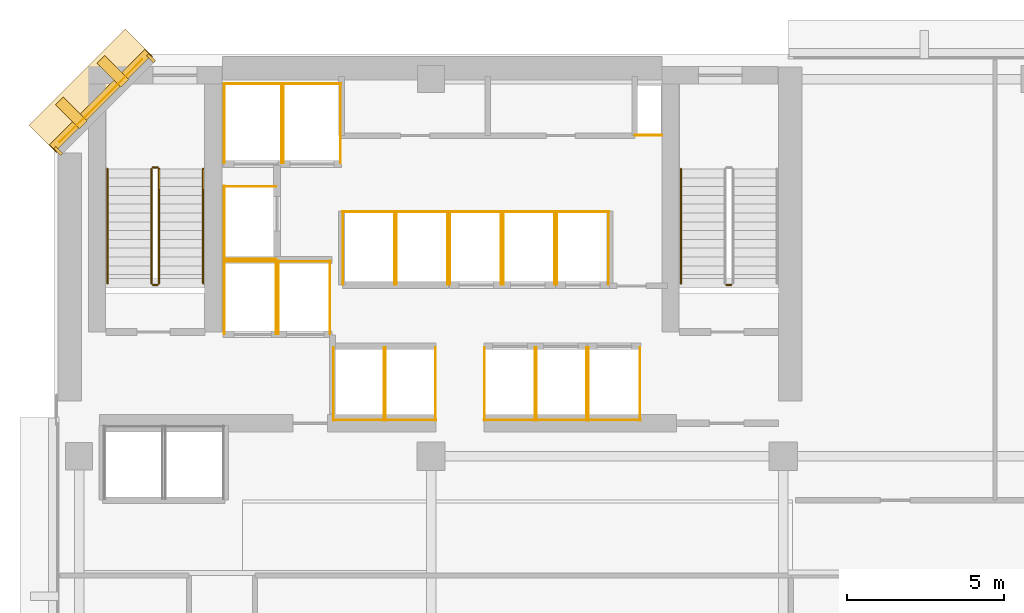
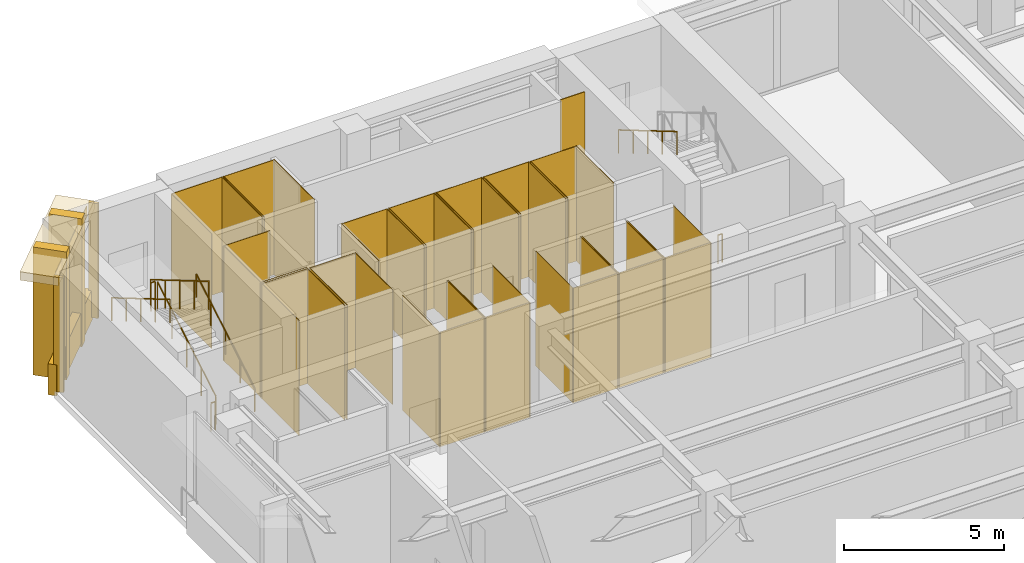
# One storey, part 11 of 13: 53 coverings, 8 railings.
"""IFC4 building model written with IfcOpenShell, lengths in metres."""

from ifc_helpers import new_model, si_unit, direction, frame, origin, origin_2d, place, context, subcontext, project, spatial, polyline, rectangle, circle, outline, extrude, material, layer, layer_set, type_object, element, save


model = new_model("IFC4")

# Units and contexts
model_context = context("Model", 3, precision=1e-05, world=origin(), true_north=direction((0.0, 1.0)))
body_context = subcontext(model_context, "Body", "Model", "MODEL_VIEW")
ifc_project = project(units=[si_unit("LENGTHUNIT", "METRE"), si_unit("AREAUNIT", "SQUARE_METRE"), si_unit("VOLUMEUNIT", "CUBIC_METRE"), si_unit("PLANEANGLEUNIT", "RADIAN"), si_unit("MASSUNIT", "GRAM", prefix="KILO")], contexts=[model_context])

# Site, building, storey
site_placement = place(None, origin())
site = spatial("IfcSite", under=ifc_project, at=site_placement, CompositionType="ELEMENT")
building_placement = place(site_placement, origin())
building = spatial("IfcBuilding", under=site, at=building_placement, Name="Kefirva Bronze Tower", CompositionType="ELEMENT")
storey_placement = place(building_placement, frame((0.0, 0.0, 130.35009765625)))
storey = spatial("IfcBuildingStorey", under=building, at=storey_placement, Name="L31", CompositionType="ELEMENT", Elevation=130.35009765625)

# Coverings
ifc_material_1 = material(Name="Bronze anodised aluminium", Category="aluminium")
ifc_layer_1 = layer(ifc_material_1, 0.02001953125, Name="Bronze anodised aluminium")
ifc_layer_set_1 = layer_set([ifc_layer_1], Name="Bronze anodised aluminium")
covering_type_1 = type_object("IfcCoveringType", Name="Anodised Bronze Spandrel Cladding 20mm", PredefinedType="CLADDING", material=ifc_layer_set_1)
covering_1_placement = place(storey_placement, frame((1.492919921875, 44.507080078125, 3.949951171875), z_axis=(0.0, 0.0, 1.0), x_axis=(-0.707106781187, -0.707106781187, 0.0)))
element("IfcCovering", 1, at=covering_1_placement, inside=storey, type_object=covering_type_1, Name="L31 Bronze Spandrel Cladding 8", PredefinedType="CLADDING", context=body_context, shape_type="SweptSolid", body=[
    extrude(rectangle(XDim=3.719482421875, YDim=0.02001953125, at=origin_2d()), origin(), (0.0, 0.0, 1.0), 0.39990234375),
])
for number, where, z_axis, x_axis, name in (
    (2, (3.08837890625, 45.862060546875, -0.000244140625), (0.0, 0.0, 1.0), (-0.707106781187, -0.707106781187, 0.0), "L31 Facade Joint Closure Panel 8S"),
    (3, (0.137939453125, 42.91162109375, -0.000244140625), (0.0, 0.0, 1.0), (-0.707106781187, -0.707106781187, 0.0), "L31 Facade Joint Closure Panel 8E"),
):
    element("IfcCovering", number, at=place(storey_placement, frame(where, z_axis=z_axis, x_axis=x_axis)), inside=storey, type_object=covering_type_1, Name=name, PredefinedType="CLADDING", context=body_context, shape_type="SweptSolid", body=[
        extrude(rectangle(XDim=0.10009765625, YDim=0.320068359375, at=origin_2d()), origin(), (0.0, 0.0, 1.0), 4.3701171875),
    ])
covering_2_placement = place(storey_placement, frame((1.4716796875, 44.5283203125, -0.16015625), z_axis=(0.0, 0.0, 1.0), x_axis=(-0.707106781187, -0.707106781187, 0.0)))
element("IfcCovering", 4, at=covering_2_placement, inside=storey, type_object=covering_type_1, Name="L31 Streamline Horizontal Spandrel Band 13", PredefinedType="CLADDING", context=body_context, shape_type="SweptSolid", body=[
    extrude(rectangle(XDim=4.28271484375, YDim=0.280029296875, at=origin_2d()), origin(), (0.0, 0.0, 1.0), 1.179931640625),
])
covering_3_placement = place(storey_placement, origin())
element("IfcCovering", 5, at=covering_3_placement, inside=storey, type_object=covering_type_1, Name="L31 Lift FF1 Hoistway Liner N", PredefinedType="CLADDING", context=body_context, shape_type="SweptSolid", body=[
    extrude(outline(polyline([(5.39990234375, 39.389892578125), (7.080078125, 39.389892578125), (7.080078125, 39.409912109375), (5.39990234375, 39.409912109375), (5.39990234375, 39.389892578125)])), origin(), (0.0, 0.0, 1.0), 4.369873046875),
])
covering_4_placement = place(storey_placement, origin())
element("IfcCovering", 6, at=covering_4_placement, inside=storey, type_object=covering_type_1, Name="L31 Lift FF1 Hoistway Liner W", PredefinedType="CLADDING", context=body_context, shape_type="SweptSolid", body=[
    extrude(outline(polyline([(5.409912109375, 37.080078125), (5.429931640625, 37.080078125), (5.429931640625, 39.419921875), (5.409912109375, 39.419921875), (5.409912109375, 37.080078125)])), origin(), (0.0, 0.0, 1.0), 4.369873046875),
])
covering_5_placement = place(storey_placement, origin())
element("IfcCovering", 7, at=covering_5_placement, inside=storey, type_object=covering_type_1, Name="L31 Lift FF1 Hoistway Liner E", PredefinedType="CLADDING", context=body_context, shape_type="SweptSolid", body=[
    extrude(outline(polyline([(7.050048828125, 37.080078125), (7.070068359375, 37.080078125), (7.070068359375, 39.419921875), (7.050048828125, 39.419921875), (7.050048828125, 37.080078125)])), origin(), (0.0, 0.0, 1.0), 4.369873046875),
])
covering_6_placement = place(storey_placement, origin())
element("IfcCovering", 8, at=covering_6_placement, inside=storey, type_object=covering_type_1, Name="L31 Lift FF2 Hoistway Liner N", PredefinedType="CLADDING", context=body_context, shape_type="SweptSolid", body=[
    extrude(outline(polyline([(7.1201171875, 39.389892578125), (8.800048828125, 39.389892578125), (8.800048828125, 39.409912109375), (7.1201171875, 39.409912109375), (7.1201171875, 39.389892578125)])), origin(), (0.0, 0.0, 1.0), 4.369873046875),
])
covering_7_placement = place(storey_placement, origin())
element("IfcCovering", 9, at=covering_7_placement, inside=storey, type_object=covering_type_1, Name="L31 Lift FF2 Hoistway Liner W", PredefinedType="CLADDING", context=body_context, shape_type="SweptSolid", body=[
    extrude(outline(polyline([(7.1298828125, 37.080078125), (7.14990234375, 37.080078125), (7.14990234375, 39.419921875), (7.1298828125, 39.419921875), (7.1298828125, 37.080078125)])), origin(), (0.0, 0.0, 1.0), 4.369873046875),
])
covering_8_placement = place(storey_placement, origin())
element("IfcCovering", 10, at=covering_8_placement, inside=storey, type_object=covering_type_1, Name="L31 Lift FF2 Hoistway Liner E", PredefinedType="CLADDING", context=body_context, shape_type="SweptSolid", body=[
    extrude(outline(polyline([(8.77001953125, 37.080078125), (8.7900390625, 37.080078125), (8.7900390625, 39.419921875), (8.77001953125, 39.419921875), (8.77001953125, 37.080078125)])), origin(), (0.0, 0.0, 1.0), 4.369873046875),
])
covering_9_placement = place(storey_placement, origin())
element("IfcCovering", 11, at=covering_9_placement, inside=storey, type_object=covering_type_1, Name="L31 Lift SV1 Hoistway Liner N", PredefinedType="CLADDING", context=body_context, shape_type="SweptSolid", body=[
    extrude(outline(polyline([(5.39990234375, 45.0400390625), (7.260009765625, 45.0400390625), (7.260009765625, 45.06005859375), (5.39990234375, 45.06005859375), (5.39990234375, 45.0400390625)])), origin(), (0.0, 0.0, 1.0), 4.369873046875),
])
covering_10_placement = place(storey_placement, origin())
element("IfcCovering", 12, at=covering_10_placement, inside=storey, type_object=covering_type_1, Name="L31 Lift SV1 Hoistway Liner W", PredefinedType="CLADDING", context=body_context, shape_type="SweptSolid", body=[
    extrude(outline(polyline([(5.409912109375, 42.530029296875), (5.429931640625, 42.530029296875), (5.429931640625, 45.070068359375), (5.409912109375, 45.070068359375), (5.409912109375, 42.530029296875)])), origin(), (0.0, 0.0, 1.0), 4.369873046875),
])
covering_11_placement = place(storey_placement, origin())
element("IfcCovering", 13, at=covering_11_placement, inside=storey, type_object=covering_type_1, Name="L31 Lift SV1 Hoistway Liner E", PredefinedType="CLADDING", context=body_context, shape_type="SweptSolid", body=[
    extrude(outline(polyline([(7.22998046875, 42.530029296875), (7.25, 42.530029296875), (7.25, 45.070068359375), (7.22998046875, 45.070068359375), (7.22998046875, 42.530029296875)])), origin(), (0.0, 0.0, 1.0), 4.369873046875),
])
covering_12_placement = place(storey_placement, origin())
element("IfcCovering", 14, at=covering_12_placement, inside=storey, type_object=covering_type_1, Name="L31 Lift SV2 Hoistway Liner N", PredefinedType="CLADDING", context=body_context, shape_type="SweptSolid", body=[
    extrude(outline(polyline([(7.280029296875, 45.0400390625), (9.139892578125, 45.0400390625), (9.139892578125, 45.06005859375), (7.280029296875, 45.06005859375), (7.280029296875, 45.0400390625)])), origin(), (0.0, 0.0, 1.0), 4.369873046875),
])
covering_13_placement = place(storey_placement, origin())
element("IfcCovering", 15, at=covering_13_placement, inside=storey, type_object=covering_type_1, Name="L31 Lift SV2 Hoistway Liner W", PredefinedType="CLADDING", context=body_context, shape_type="SweptSolid", body=[
    extrude(outline(polyline([(7.2900390625, 42.530029296875), (7.31005859375, 42.530029296875), (7.31005859375, 45.070068359375), (7.2900390625, 45.070068359375), (7.2900390625, 42.530029296875)])), origin(), (0.0, 0.0, 1.0), 4.369873046875),
])
covering_14_placement = place(storey_placement, origin())
element("IfcCovering", 16, at=covering_14_placement, inside=storey, type_object=covering_type_1, Name="L31 Lift SV2 Hoistway Liner E", PredefinedType="CLADDING", context=body_context, shape_type="SweptSolid", body=[
    extrude(outline(polyline([(9.110107421875, 42.530029296875), (9.1298828125, 42.530029296875), (9.1298828125, 45.070068359375), (9.110107421875, 45.070068359375), (9.110107421875, 42.530029296875)])), origin(), (0.0, 0.0, 1.0), 4.369873046875),
])
covering_15_placement = place(storey_placement, origin())
element("IfcCovering", 17, at=covering_15_placement, inside=storey, type_object=covering_type_1, Name="L31 Lift LP1 Hoistway Liner S", PredefinedType="CLADDING", context=body_context, shape_type="SweptSolid", body=[
    extrude(outline(polyline([(8.8798828125, 34.340087890625), (10.52001953125, 34.340087890625), (10.52001953125, 34.360107421875), (8.8798828125, 34.360107421875), (8.8798828125, 34.340087890625)])), origin(), (0.0, 0.0, 1.0), 4.369873046875),
])
covering_16_placement = place(storey_placement, origin())
element("IfcCovering", 18, at=covering_16_placement, inside=storey, type_object=covering_type_1, Name="L31 Lift LP1 Hoistway Liner W", PredefinedType="CLADDING", context=body_context, shape_type="SweptSolid", body=[
    extrude(outline(polyline([(8.889892578125, 34.330078125), (8.909912109375, 34.330078125), (8.909912109375, 36.669921875), (8.889892578125, 36.669921875), (8.889892578125, 34.330078125)])), origin(), (0.0, 0.0, 1.0), 4.369873046875),
])
covering_17_placement = place(storey_placement, origin())
element("IfcCovering", 19, at=covering_17_placement, inside=storey, type_object=covering_type_1, Name="L31 Lift LP1 Hoistway Liner E", PredefinedType="CLADDING", context=body_context, shape_type="SweptSolid", body=[
    extrude(outline(polyline([(10.489990234375, 34.330078125), (10.510009765625, 34.330078125), (10.510009765625, 36.669921875), (10.489990234375, 36.669921875), (10.489990234375, 34.330078125)])), origin(), (0.0, 0.0, 1.0), 4.369873046875),
])
covering_18_placement = place(storey_placement, origin())
element("IfcCovering", 20, at=covering_18_placement, inside=storey, type_object=covering_type_1, Name="L31 Lift LP2 Hoistway Liner S", PredefinedType="CLADDING", context=body_context, shape_type="SweptSolid", body=[
    extrude(outline(polyline([(10.52001953125, 34.340087890625), (12.159912109375, 34.340087890625), (12.159912109375, 34.360107421875), (10.52001953125, 34.360107421875), (10.52001953125, 34.340087890625)])), origin(), (0.0, 0.0, 1.0), 4.369873046875),
])
covering_19_placement = place(storey_placement, origin())
element("IfcCovering", 21, at=covering_19_placement, inside=storey, type_object=covering_type_1, Name="L31 Lift LP2 Hoistway Liner W", PredefinedType="CLADDING", context=body_context, shape_type="SweptSolid", body=[
    extrude(outline(polyline([(10.530029296875, 34.330078125), (10.550048828125, 34.330078125), (10.550048828125, 36.669921875), (10.530029296875, 36.669921875), (10.530029296875, 34.330078125)])), origin(), (0.0, 0.0, 1.0), 4.369873046875),
])
covering_20_placement = place(storey_placement, origin())
element("IfcCovering", 22, at=covering_20_placement, inside=storey, type_object=covering_type_1, Name="L31 Lift LP2 Hoistway Liner E", PredefinedType="CLADDING", context=body_context, shape_type="SweptSolid", body=[
    extrude(outline(polyline([(12.1298828125, 34.330078125), (12.14990234375, 34.330078125), (12.14990234375, 36.669921875), (12.1298828125, 36.669921875), (12.1298828125, 34.330078125)])), origin(), (0.0, 0.0, 1.0), 4.369873046875),
])
covering_21_placement = place(storey_placement, origin())
element("IfcCovering", 23, at=covering_21_placement, inside=storey, type_object=covering_type_1, Name="L31 Lift LP3 Hoistway Liner N", PredefinedType="CLADDING", context=body_context, shape_type="SweptSolid", body=[
    extrude(outline(polyline([(9.179931640625, 40.969970703125), (10.85009765625, 40.969970703125), (10.85009765625, 40.989990234375), (9.179931640625, 40.989990234375), (9.179931640625, 40.969970703125)])), origin(), (0.0, 0.0, 1.0), 4.369873046875),
])
covering_22_placement = place(storey_placement, origin())
element("IfcCovering", 24, at=covering_22_placement, inside=storey, type_object=covering_type_1, Name="L31 Lift LP3 Hoistway Liner W", PredefinedType="CLADDING", context=body_context, shape_type="SweptSolid", body=[
    extrude(outline(polyline([(9.18994140625, 38.659912109375), (9.2099609375, 38.659912109375), (9.2099609375, 41.0), (9.18994140625, 41.0), (9.18994140625, 38.659912109375)])), origin(), (0.0, 0.0, 1.0), 4.369873046875),
])
covering_23_placement = place(storey_placement, origin())
element("IfcCovering", 25, at=covering_23_placement, inside=storey, type_object=covering_type_1, Name="L31 Lift LP3 Hoistway Liner E", PredefinedType="CLADDING", context=body_context, shape_type="SweptSolid", body=[
    extrude(outline(polyline([(10.820068359375, 38.659912109375), (10.840087890625, 38.659912109375), (10.840087890625, 41.0), (10.820068359375, 41.0), (10.820068359375, 38.659912109375)])), origin(), (0.0, 0.0, 1.0), 4.369873046875),
])
covering_24_placement = place(storey_placement, origin())
element("IfcCovering", 26, at=covering_24_placement, inside=storey, type_object=covering_type_1, Name="L31 Lift LP4 Hoistway Liner N", PredefinedType="CLADDING", context=body_context, shape_type="SweptSolid", body=[
    extrude(outline(polyline([(10.8798828125, 40.969970703125), (12.550048828125, 40.969970703125), (12.550048828125, 40.989990234375), (10.8798828125, 40.989990234375), (10.8798828125, 40.969970703125)])), origin(), (0.0, 0.0, 1.0), 4.369873046875),
])
covering_25_placement = place(storey_placement, origin())
element("IfcCovering", 27, at=covering_25_placement, inside=storey, type_object=covering_type_1, Name="L31 Lift LP4 Hoistway Liner W", PredefinedType="CLADDING", context=body_context, shape_type="SweptSolid", body=[
    extrude(outline(polyline([(10.889892578125, 38.659912109375), (10.909912109375, 38.659912109375), (10.909912109375, 41.0), (10.889892578125, 41.0), (10.889892578125, 38.659912109375)])), origin(), (0.0, 0.0, 1.0), 4.369873046875),
])
covering_26_placement = place(storey_placement, origin())
element("IfcCovering", 28, at=covering_26_placement, inside=storey, type_object=covering_type_1, Name="L31 Lift LP4 Hoistway Liner E", PredefinedType="CLADDING", context=body_context, shape_type="SweptSolid", body=[
    extrude(outline(polyline([(12.52001953125, 38.659912109375), (12.5400390625, 38.659912109375), (12.5400390625, 41.0), (12.52001953125, 41.0), (12.52001953125, 38.659912109375)])), origin(), (0.0, 0.0, 1.0), 4.369873046875),
])
covering_27_placement = place(storey_placement, origin())
element("IfcCovering", 29, at=covering_27_placement, inside=storey, type_object=covering_type_1, Name="L31 Lift MP1 Hoistway Liner S", PredefinedType="CLADDING", context=body_context, shape_type="SweptSolid", body=[
    extrude(outline(polyline([(13.679931640625, 34.340087890625), (15.320068359375, 34.340087890625), (15.320068359375, 34.360107421875), (13.679931640625, 34.360107421875), (13.679931640625, 34.340087890625)])), origin(), (0.0, 0.0, 1.0), 4.369873046875),
])
covering_28_placement = place(storey_placement, origin())
element("IfcCovering", 30, at=covering_28_placement, inside=storey, type_object=covering_type_1, Name="L31 Lift MP1 Hoistway Liner W", PredefinedType="CLADDING", context=body_context, shape_type="SweptSolid", body=[
    extrude(outline(polyline([(13.68994140625, 34.330078125), (13.7099609375, 34.330078125), (13.7099609375, 36.669921875), (13.68994140625, 36.669921875), (13.68994140625, 34.330078125)])), origin(), (0.0, 0.0, 1.0), 4.369873046875),
])
covering_29_placement = place(storey_placement, origin())
element("IfcCovering", 31, at=covering_29_placement, inside=storey, type_object=covering_type_1, Name="L31 Lift MP1 Hoistway Liner E", PredefinedType="CLADDING", context=body_context, shape_type="SweptSolid", body=[
    extrude(outline(polyline([(15.2900390625, 34.330078125), (15.31005859375, 34.330078125), (15.31005859375, 36.669921875), (15.2900390625, 36.669921875), (15.2900390625, 34.330078125)])), origin(), (0.0, 0.0, 1.0), 4.369873046875),
])
covering_30_placement = place(storey_placement, origin())
element("IfcCovering", 32, at=covering_30_placement, inside=storey, type_object=covering_type_1, Name="L31 Lift MP2 Hoistway Liner S", PredefinedType="CLADDING", context=body_context, shape_type="SweptSolid", body=[
    extrude(outline(polyline([(15.330078125, 34.340087890625), (16.969970703125, 34.340087890625), (16.969970703125, 34.360107421875), (15.330078125, 34.360107421875), (15.330078125, 34.340087890625)])), origin(), (0.0, 0.0, 1.0), 4.369873046875),
])
covering_31_placement = place(storey_placement, origin())
element("IfcCovering", 33, at=covering_31_placement, inside=storey, type_object=covering_type_1, Name="L31 Lift MP2 Hoistway Liner W", PredefinedType="CLADDING", context=body_context, shape_type="SweptSolid", body=[
    extrude(outline(polyline([(15.340087890625, 34.330078125), (15.360107421875, 34.330078125), (15.360107421875, 36.669921875), (15.340087890625, 36.669921875), (15.340087890625, 34.330078125)])), origin(), (0.0, 0.0, 1.0), 4.369873046875),
])
covering_32_placement = place(storey_placement, origin())
element("IfcCovering", 34, at=covering_32_placement, inside=storey, type_object=covering_type_1, Name="L31 Lift MP2 Hoistway Liner E", PredefinedType="CLADDING", context=body_context, shape_type="SweptSolid", body=[
    extrude(outline(polyline([(16.93994140625, 34.330078125), (16.9599609375, 34.330078125), (16.9599609375, 36.669921875), (16.93994140625, 36.669921875), (16.93994140625, 34.330078125)])), origin(), (0.0, 0.0, 1.0), 4.369873046875),
])
covering_33_placement = place(storey_placement, origin())
element("IfcCovering", 35, at=covering_33_placement, inside=storey, type_object=covering_type_1, Name="L31 Lift MP3 Hoistway Liner N", PredefinedType="CLADDING", context=body_context, shape_type="SweptSolid", body=[
    extrude(outline(polyline([(12.580078125, 40.969970703125), (14.25, 40.969970703125), (14.25, 40.989990234375), (12.580078125, 40.989990234375), (12.580078125, 40.969970703125)])), origin(), (0.0, 0.0, 1.0), 4.369873046875),
])
covering_34_placement = place(storey_placement, origin())
element("IfcCovering", 36, at=covering_34_placement, inside=storey, type_object=covering_type_1, Name="L31 Lift MP3 Hoistway Liner W", PredefinedType="CLADDING", context=body_context, shape_type="SweptSolid", body=[
    extrude(outline(polyline([(12.590087890625, 38.659912109375), (12.610107421875, 38.659912109375), (12.610107421875, 41.0), (12.590087890625, 41.0), (12.590087890625, 38.659912109375)])), origin(), (0.0, 0.0, 1.0), 4.369873046875),
])
covering_35_placement = place(storey_placement, origin())
element("IfcCovering", 37, at=covering_35_placement, inside=storey, type_object=covering_type_1, Name="L31 Lift MP3 Hoistway Liner E", PredefinedType="CLADDING", context=body_context, shape_type="SweptSolid", body=[
    extrude(outline(polyline([(14.219970703125, 38.659912109375), (14.239990234375, 38.659912109375), (14.239990234375, 41.0), (14.219970703125, 41.0), (14.219970703125, 38.659912109375)])), origin(), (0.0, 0.0, 1.0), 4.369873046875),
])
covering_36_placement = place(storey_placement, origin())
element("IfcCovering", 38, at=covering_36_placement, inside=storey, type_object=covering_type_1, Name="L31 Lift MP4 Hoistway Liner N", PredefinedType="CLADDING", context=body_context, shape_type="SweptSolid", body=[
    extrude(outline(polyline([(14.280029296875, 40.969970703125), (15.949951171875, 40.969970703125), (15.949951171875, 40.989990234375), (14.280029296875, 40.989990234375), (14.280029296875, 40.969970703125)])), origin(), (0.0, 0.0, 1.0), 4.369873046875),
])
covering_37_placement = place(storey_placement, origin())
element("IfcCovering", 39, at=covering_37_placement, inside=storey, type_object=covering_type_1, Name="L31 Lift MP4 Hoistway Liner W", PredefinedType="CLADDING", context=body_context, shape_type="SweptSolid", body=[
    extrude(outline(polyline([(14.2900390625, 38.659912109375), (14.31005859375, 38.659912109375), (14.31005859375, 41.0), (14.2900390625, 41.0), (14.2900390625, 38.659912109375)])), origin(), (0.0, 0.0, 1.0), 4.369873046875),
])
covering_38_placement = place(storey_placement, origin())
element("IfcCovering", 40, at=covering_38_placement, inside=storey, type_object=covering_type_1, Name="L31 Lift MP4 Hoistway Liner E", PredefinedType="CLADDING", context=body_context, shape_type="SweptSolid", body=[
    extrude(outline(polyline([(15.919921875, 38.659912109375), (15.93994140625, 38.659912109375), (15.93994140625, 41.0), (15.919921875, 41.0), (15.919921875, 38.659912109375)])), origin(), (0.0, 0.0, 1.0), 4.369873046875),
])
covering_39_placement = place(storey_placement, origin())
element("IfcCovering", 41, at=covering_39_placement, inside=storey, type_object=covering_type_1, Name="L31 Lift HP1 Hoistway Liner S", PredefinedType="CLADDING", context=body_context, shape_type="SweptSolid", body=[
    extrude(outline(polyline([(16.97998046875, 34.340087890625), (18.669921875, 34.340087890625), (18.669921875, 34.360107421875), (16.97998046875, 34.360107421875), (16.97998046875, 34.340087890625)])), origin(), (0.0, 0.0, 1.0), 4.369873046875),
])
covering_40_placement = place(storey_placement, origin())
element("IfcCovering", 42, at=covering_40_placement, inside=storey, type_object=covering_type_1, Name="L31 Lift HP1 Hoistway Liner W", PredefinedType="CLADDING", context=body_context, shape_type="SweptSolid", body=[
    extrude(outline(polyline([(16.989990234375, 34.330078125), (17.010009765625, 34.330078125), (17.010009765625, 36.669921875), (16.989990234375, 36.669921875), (16.989990234375, 34.330078125)])), origin(), (0.0, 0.0, 1.0), 4.369873046875),
])
covering_41_placement = place(storey_placement, origin())
element("IfcCovering", 43, at=covering_41_placement, inside=storey, type_object=covering_type_1, Name="L31 Lift HP1 Hoistway Liner E", PredefinedType="CLADDING", context=body_context, shape_type="SweptSolid", body=[
    extrude(outline(polyline([(18.639892578125, 34.330078125), (18.659912109375, 34.330078125), (18.659912109375, 36.669921875), (18.639892578125, 36.669921875), (18.639892578125, 34.330078125)])), origin(), (0.0, 0.0, 1.0), 4.369873046875),
])
covering_42_placement = place(storey_placement, origin())
element("IfcCovering", 44, at=covering_42_placement, inside=storey, type_object=covering_type_1, Name="L31 Lift HP2 Hoistway Liner N", PredefinedType="CLADDING", context=body_context, shape_type="SweptSolid", body=[
    extrude(outline(polyline([(15.97998046875, 40.969970703125), (17.669921875, 40.969970703125), (17.669921875, 40.989990234375), (15.97998046875, 40.989990234375), (15.97998046875, 40.969970703125)])), origin(), (0.0, 0.0, 1.0), 4.369873046875),
])
covering_43_placement = place(storey_placement, origin())
element("IfcCovering", 45, at=covering_43_placement, inside=storey, type_object=covering_type_1, Name="L31 Lift HP2 Hoistway Liner W", PredefinedType="CLADDING", context=body_context, shape_type="SweptSolid", body=[
    extrude(outline(polyline([(15.989990234375, 38.659912109375), (16.010009765625, 38.659912109375), (16.010009765625, 41.0), (15.989990234375, 41.0), (15.989990234375, 38.659912109375)])), origin(), (0.0, 0.0, 1.0), 4.369873046875),
])
covering_44_placement = place(storey_placement, origin())
element("IfcCovering", 46, at=covering_44_placement, inside=storey, type_object=covering_type_1, Name="L31 Lift HP2 Hoistway Liner E", PredefinedType="CLADDING", context=body_context, shape_type="SweptSolid", body=[
    extrude(outline(polyline([(17.639892578125, 38.659912109375), (17.659912109375, 38.659912109375), (17.659912109375, 41.0), (17.639892578125, 41.0), (17.639892578125, 38.659912109375)])), origin(), (0.0, 0.0, 1.0), 4.369873046875),
])
covering_45_placement = place(storey_placement, origin())
element("IfcCovering", 47, at=covering_45_placement, inside=storey, type_object=covering_type_1, Name="L31 Lift HP3 Hoistway Liner N", PredefinedType="CLADDING", context=body_context, shape_type="SweptSolid", body=[
    extrude(outline(polyline([(5.39990234375, 41.77001953125), (7.080078125, 41.77001953125), (7.080078125, 41.7900390625), (5.39990234375, 41.7900390625), (5.39990234375, 41.77001953125)])), origin(), (0.0, 0.0, 1.0), 4.369873046875),
])
covering_46_placement = place(storey_placement, origin())
element("IfcCovering", 48, at=covering_46_placement, inside=storey, type_object=covering_type_1, Name="L31 Lift HP3 Hoistway Liner S", PredefinedType="CLADDING", context=body_context, shape_type="SweptSolid", body=[
    extrude(outline(polyline([(5.39990234375, 39.469970703125), (7.080078125, 39.469970703125), (7.080078125, 39.489990234375), (5.39990234375, 39.489990234375), (5.39990234375, 39.469970703125)])), origin(), (0.0, 0.0, 1.0), 4.369873046875),
])
covering_47_placement = place(storey_placement, origin())
element("IfcCovering", 49, at=covering_47_placement, inside=storey, type_object=covering_type_1, Name="L31 Lift HP3 Hoistway Liner W", PredefinedType="CLADDING", context=body_context, shape_type="SweptSolid", body=[
    extrude(outline(polyline([(5.409912109375, 39.4599609375), (5.429931640625, 39.4599609375), (5.429931640625, 41.800048828125), (5.409912109375, 41.800048828125), (5.409912109375, 39.4599609375)])), origin(), (0.0, 0.0, 1.0), 4.369873046875),
])
covering_48_placement = place(storey_placement, origin())
element("IfcCovering", 50, at=covering_48_placement, inside=storey, type_object=covering_type_1, Name="L31 Core MEP Riser Shaft Liner South", PredefinedType="CLADDING", context=body_context, shape_type="SweptSolid", body=[
    extrude(outline(polyline([(18.47998046875, 43.39990234375), (19.360107421875, 43.39990234375), (19.360107421875, 43.429931640625), (18.47998046875, 43.429931640625), (18.47998046875, 43.39990234375)])), origin(), (0.0, 0.0, 1.0), 4.369873046875),
])

# Railings
ifc_material_2 = material(Name="Stainless steel 316", Category="steel")
railing_type_1 = type_object("IfcRailingType", Name="Interior Stair Guardrail 1100mm", PredefinedType="GUARDRAIL", material=ifc_material_2)
railing_1_placement = place(storey_placement, frame((3.35009765625, 38.699951171875, 0.164794921875)))
element("IfcRailing", 51, at=railing_1_placement, inside=storey, type_object=railing_type_1, Name="L31 ST-1 stair guard 1", PredefinedType="GUARDRAIL", context=body_context, shape_type="SweptSolid", body=[
    extrude(circle(Radius=0.02392578125, at=origin_2d()), frame((0.0, 0.0, 1.076171875), z_axis=(0.0, 0.861544779993, 0.507681585313), x_axis=(-1.0, 0.0, 0.0)), (0.0, 0.0, 1.0), 4.22509765625),
    extrude(circle(Radius=0.02099609375, at=origin_2d()), origin(), (0.0, 0.0, 1.0), 1.052001953125),
    extrude(circle(Radius=0.02099609375, at=origin_2d()), frame((0.0, 0.91015625, 0.5361328125)), (0.0, 0.0, 1.0), 1.052001953125),
    extrude(circle(Radius=0.02099609375, at=origin_2d()), frame((0.0, 1.820068359375, 1.072509765625)), (0.0, 0.0, 1.0), 1.052001953125),
    extrude(circle(Radius=0.02099609375, at=origin_2d()), frame((0.0, 2.72998046875, 1.60888671875)), (0.0, 0.0, 1.0), 1.052001953125),
    extrude(circle(Radius=0.02099609375, at=origin_2d()), frame((0.0, 3.64013671875, 2.14501953125)), (0.0, 0.0, 1.0), 1.052001953125),
])
railing_2_placement = place(storey_placement, frame((3.300048828125, 42.389892578125, 2.309814453125)))
element("IfcRailing", 52, at=railing_2_placement, inside=storey, type_object=railing_type_1, Name="L31 ST-1 stair guard 2", PredefinedType="GUARDRAIL", context=body_context, shape_type="SweptSolid", body=[
    extrude(circle(Radius=0.02392578125, at=origin_2d()), frame((0.0, 0.0, 1.076171875), z_axis=(-1.0, 0.0, 0.0), x_axis=(0.0, -1.0, 0.0)), (0.0, 0.0, 1.0), 0.150146484375),
    extrude(circle(Radius=0.02099609375, at=origin_2d()), origin(), (0.0, 0.0, 1.0), 1.052001953125),
    extrude(circle(Radius=0.02099609375, at=origin_2d()), frame((-0.150146484375, 0.0, 0.0)), (0.0, 0.0, 1.0), 1.052001953125),
])
railing_3_placement = place(storey_placement, frame((3.10009765625, 42.340087890625, 2.474853515625)))
element("IfcRailing", 53, at=railing_3_placement, inside=storey, type_object=railing_type_1, Name="L31 ST-1 stair guard 3", PredefinedType="GUARDRAIL", context=body_context, shape_type="SweptSolid", body=[
    extrude(circle(Radius=0.02392578125, at=origin_2d()), frame((0.0, 0.0, 1.076171875), z_axis=(0.0, -0.861544779993, 0.507681585313), x_axis=(1.0, 0.0, 0.0)), (0.0, 0.0, 1.0), 4.22509765625),
    extrude(circle(Radius=0.02099609375, at=origin_2d()), origin(), (0.0, 0.0, 1.0), 1.052001953125),
    extrude(circle(Radius=0.02099609375, at=origin_2d()), frame((0.0, -0.91015625, 0.5361328125)), (0.0, 0.0, 1.0), 1.052001953125),
    extrude(circle(Radius=0.02099609375, at=origin_2d()), frame((0.0, -1.820068359375, 1.072509765625)), (0.0, 0.0, 1.0), 1.052001953125),
    extrude(circle(Radius=0.02099609375, at=origin_2d()), frame((0.0, -2.72998046875, 1.60888671875)), (0.0, 0.0, 1.0), 1.052001953125),
    extrude(circle(Radius=0.02099609375, at=origin_2d()), frame((0.0, -3.64013671875, 2.14501953125)), (0.0, 0.0, 1.0), 1.052001953125),
])
for number, where, name in (
    (54, (3.300048828125, 38.64990234375, 0.0), "L31 ST-1 stair guard 4"),
    (55, (21.550048828125, 38.64990234375, 0.0), "L31 ST-2 stair guard 4"),
):
    element("IfcRailing", number, at=place(storey_placement, frame(where)), inside=storey, type_object=railing_type_1, Name=name, PredefinedType="GUARDRAIL", context=body_context, shape_type="SweptSolid", body=[
        extrude(circle(Radius=0.02392578125, at=origin_2d()), frame((0.0, 0.0, 1.076171875), z_axis=(-1.0, 0.0, 0.0), x_axis=(0.0, -1.0, 0.0)), (0.0, 0.0, 1.0), 0.150146484375),
        extrude(circle(Radius=0.02099609375, at=origin_2d()), origin(), (0.0, 0.0, 1.0), 1.052001953125),
        extrude(circle(Radius=0.02099609375, at=origin_2d()), frame((-0.150146484375, 0.0, 0.0)), (0.0, 0.0, 1.0), 1.052001953125),
    ])
railing_type_2 = type_object("IfcRailingType", Name="Stair Pitch Handrail 900mm", PredefinedType="HANDRAIL", material=ifc_material_2)
railing_4_placement = place(storey_placement, frame((4.75, 38.699951171875, 0.164794921875)))
element("IfcRailing", 56, at=railing_4_placement, inside=storey, type_object=railing_type_2, Name="L31 ST-1 stair handrail 1", PredefinedType="HANDRAIL", context=body_context, shape_type="SweptSolid", body=[
    extrude(circle(Radius=0.02392578125, at=origin_2d()), frame((0.0, 0.0, 0.8759765625), z_axis=(0.0, 0.861544779993, 0.507681585313), x_axis=(-1.0, 0.0, 0.0)), (0.0, 0.0, 1.0), 4.22509765625),
    extrude(circle(Radius=0.02099609375, at=origin_2d()), origin(), (0.0, 0.0, 1.0), 0.851806640625),
    extrude(circle(Radius=0.02099609375, at=origin_2d()), frame((0.0, 0.91015625, 0.5361328125)), (0.0, 0.0, 1.0), 0.851806640625),
    extrude(circle(Radius=0.02099609375, at=origin_2d()), frame((0.0, 1.820068359375, 1.072509765625)), (0.0, 0.0, 1.0), 0.851806640625),
    extrude(circle(Radius=0.02099609375, at=origin_2d()), frame((0.0, 2.72998046875, 1.60888671875)), (0.0, 0.0, 1.0), 0.851806640625),
    extrude(circle(Radius=0.02099609375, at=origin_2d()), frame((0.0, 3.64013671875, 2.14501953125)), (0.0, 0.0, 1.0), 0.851806640625),
])
for number, where, name in (
    (57, (1.699951171875, 42.340087890625, 2.474853515625), "L31 ST-1 stair handrail 2"),
    (58, (19.949951171875, 42.340087890625, 2.474853515625), "L31 ST-2 stair handrail 2"),
):
    element("IfcRailing", number, at=place(storey_placement, frame(where)), inside=storey, type_object=railing_type_2, Name=name, PredefinedType="HANDRAIL", context=body_context, shape_type="SweptSolid", body=[
        extrude(circle(Radius=0.02392578125, at=origin_2d()), frame((0.0, 0.0, 0.8759765625), z_axis=(0.0, -0.861544779993, 0.507681585313), x_axis=(1.0, 0.0, 0.0)), (0.0, 0.0, 1.0), 4.22509765625),
        extrude(circle(Radius=0.02099609375, at=origin_2d()), origin(), (0.0, 0.0, 1.0), 0.851806640625),
        extrude(circle(Radius=0.02099609375, at=origin_2d()), frame((0.0, -0.91015625, 0.5361328125)), (0.0, 0.0, 1.0), 0.851806640625),
        extrude(circle(Radius=0.02099609375, at=origin_2d()), frame((0.0, -1.820068359375, 1.072509765625)), (0.0, 0.0, 1.0), 0.851806640625),
        extrude(circle(Radius=0.02099609375, at=origin_2d()), frame((0.0, -2.72998046875, 1.60888671875)), (0.0, 0.0, 1.0), 0.851806640625),
        extrude(circle(Radius=0.02099609375, at=origin_2d()), frame((0.0, -3.64013671875, 2.14501953125)), (0.0, 0.0, 1.0), 0.851806640625),
    ])

# Coverings
ifc_layer_2 = layer(ifc_material_1, 0.179931640625, Name="Bronze anodised aluminium")
ifc_layer_set_2 = layer_set([ifc_layer_2], Name="Bronze anodised aluminium")
covering_type_2 = type_object("IfcCoveringType", Name="Streamline Bronze Sunshade Eyebrow Cladding 180mm", PredefinedType="CLADDING", material=ifc_layer_set_2)
covering_49_placement = place(storey_placement, frame((1.1748046875, 44.8251953125, 4.0498046875), z_axis=(0.0, 0.0, 1.0), x_axis=(-0.707106781187, -0.707106781187, 0.0)))
element("IfcCovering", 59, at=covering_49_placement, inside=storey, type_object=covering_type_2, Name="L31 Streamline Bronze Sunshade Eyebrow 13", PredefinedType="CLADDING", context=body_context, shape_type="SweptSolid", body=[
    extrude(rectangle(XDim=4.322509765625, YDim=1.239990234375, at=origin_2d()), origin(), (0.0, 0.0, 1.0), 0.320068359375),
])
ifc_layer_3 = layer(ifc_material_1, 0.260009765625, Name="Bronze anodised aluminium")
ifc_layer_set_3 = layer_set([ifc_layer_3], Name="Bronze anodised aluminium")
covering_type_3 = type_object("IfcCoveringType", Name="Unbroken Bronze Buttress Fin Cladding 260mm", PredefinedType="CLADDING", material=ifc_layer_set_3)
for number, where, z_axis, x_axis, name in (
    (60, (1.877197265625, 45.44287109375, -0.250244140625), (0.0, 0.0, 1.0), (-0.707106781187, -0.707106781187, 0.0), "L31 Chamfered Corner Buttress Fin Cladding 21"),
    (61, (0.55712890625, 44.122802734375, -0.250244140625), (0.0, 0.0, 1.0), (-0.707106781187, -0.707106781187, 0.0), "L31 Chamfered Corner Buttress Fin Cladding 22"),
):
    element("IfcCovering", number, at=place(storey_placement, frame(where, z_axis=z_axis, x_axis=x_axis)), inside=storey, type_object=covering_type_3, Name=name, PredefinedType="CLADDING", context=body_context, shape_type="SweptSolid", body=[
        extrude(rectangle(XDim=0.340087890625, YDim=1.080078125, at=origin_2d()), origin(), (0.0, 0.0, 1.0), 4.8701171875),
    ])

save(model, "model.ifc")
